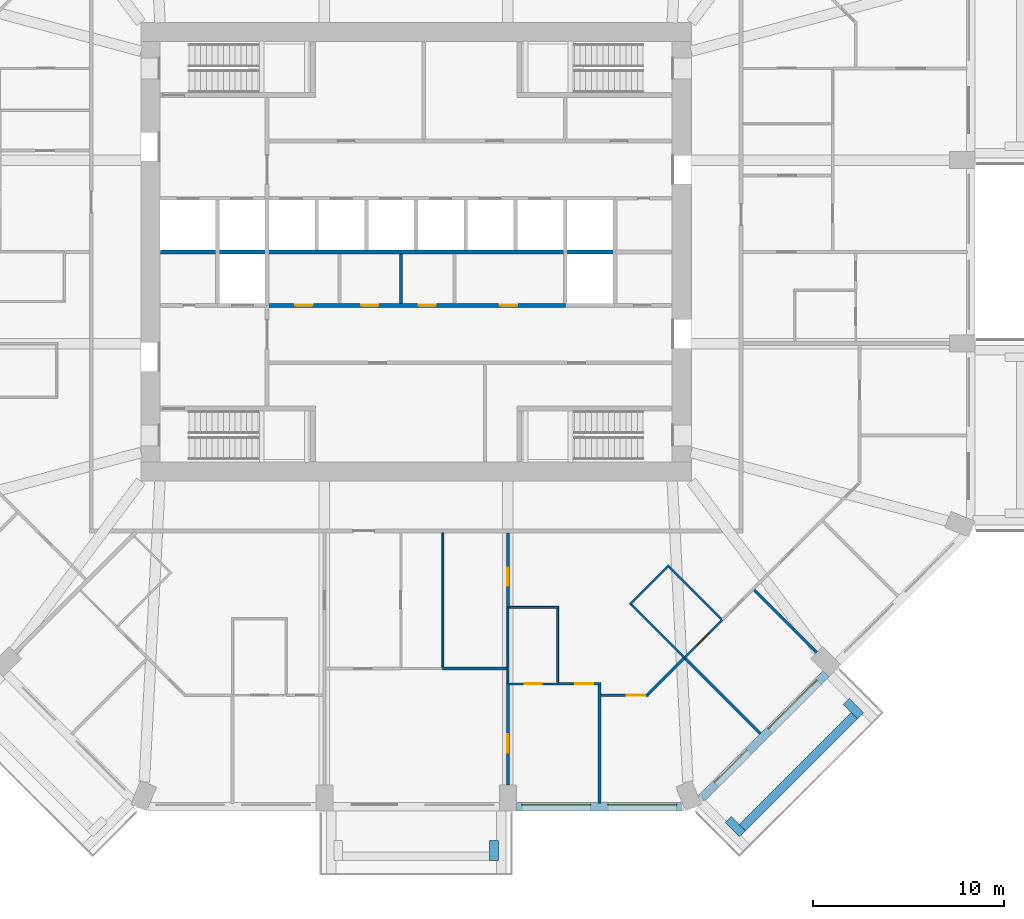
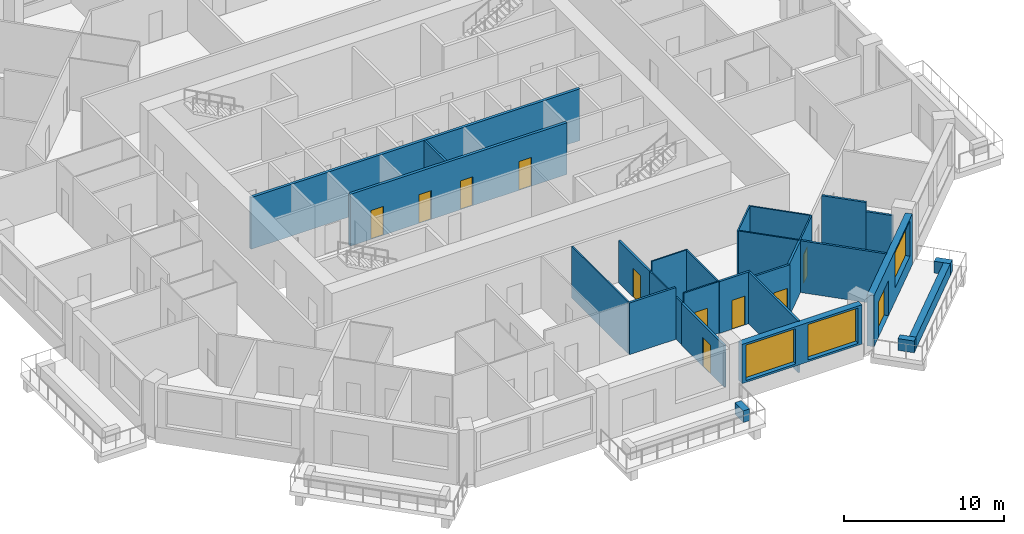
# One storey, part 5 of 13: 28 walls, 11 doors, 3 windows, 14 openings.
"""IFC4 building model written with IfcOpenShell, lengths in metres."""

from ifc_helpers import new_model, si_unit, direction, frame, frame_2d, origin, place, context, subcontext, project, spatial, rectangle, extrude, material, layer, layer_set, type_object, element, fill, save


model = new_model("IFC4")

# Units and contexts
model_context = context("Model", 3, precision=1e-05, world=origin(), true_north=direction((0.0, 1.0)))
body_context = subcontext(model_context, "Body", "Model", "MODEL_VIEW")
ifc_project = project(units=[si_unit("LENGTHUNIT", "METRE"), si_unit("AREAUNIT", "SQUARE_METRE"), si_unit("VOLUMEUNIT", "CUBIC_METRE"), si_unit("PLANEANGLEUNIT", "RADIAN"), si_unit("MASSUNIT", "GRAM", prefix="KILO")], contexts=[model_context])

# Site, building, storey
site_placement = place(None, origin())
site = spatial("IfcSite", under=ifc_project, at=site_placement, CompositionType="ELEMENT")
building_placement = place(site_placement, origin())
building = spatial("IfcBuilding", under=site, at=building_placement, Name="Msitu Wima Residences", CompositionType="ELEMENT")
storey_placement = place(building_placement, frame((0.0, 0.0, 67.5)))
storey = spatial("IfcBuildingStorey", under=building, at=storey_placement, Name="L15", CompositionType="ELEMENT", Elevation=67.5)

# Walls
ifc_material_1 = material(Name="Facing brick")
ifc_layer_1 = layer(ifc_material_1, 0.06494140625, Name="Facing brick")
ifc_material_2 = material(Name="Concrete C40/50", Category="concrete")
ifc_layer_2 = layer(ifc_material_2, 0.156005859375, Name="Concrete C40/50")
ifc_material_3 = material(Name="Waterproofing membrane")
ifc_layer_3 = layer(ifc_material_3, 0.00390625, Name="Waterproofing membrane")
ifc_material_4 = material(Name="Planting soil and planting")
ifc_layer_4 = layer(ifc_material_4, 0.22509765625, Name="Planting soil and planting")
ifc_layer_set_1 = layer_set([ifc_layer_1, ifc_layer_2, ifc_layer_3, ifc_layer_4], Name="Concrete C40/50")
wall_type_1 = type_object("IfcWallType", Name="Balcony planter PLANTER PL450", PredefinedType="USERDEFINED", material=ifc_layer_set_1)
wall_1_placement = place(storey_placement, frame((4.074951171875, -30.800048828125, 0.0), z_axis=(0.0, 0.0, 1.0), x_axis=(0.0, -1.0, 0.0)))
element("IfcWall", 1, at=wall_1_placement, inside=storey, type_object=wall_type_1, Name="Balcony planter S1 L15", ObjectType="PLANTER", PredefinedType="USERDEFINED", context=body_context, shape_type="SweptSolid", body=[
    extrude(rectangle(XDim=1.050048828125, YDim=0.449951171875, at=frame_2d((0.52490234375, 0.0))), origin(), (0.0, 0.0, 1.0), 0.89990234375),
])
wall_2_placement = place(storey_placement, frame((17.0693359375, -30.125732421875, 0.0), z_axis=(0.0, 0.0, 1.0), x_axis=(0.707106781187, 0.707106781187, 0.0)))
element("IfcWall", 2, at=wall_2_placement, inside=storey, type_object=wall_type_1, Name="Balcony planter SE0 L15", ObjectType="PLANTER", PredefinedType="USERDEFINED", context=body_context, shape_type="SweptSolid", body=[
    extrude(rectangle(XDim=8.2822265625, YDim=0.449951171875, at=frame_2d((4.14111328125, 0.0))), origin(), (0.0, 0.0, 1.0), 0.89990234375),
])
for number, where, z_axis, x_axis, name in (
    (3, (16.326904296875, -29.70166015625, 0.0), (0.0, 0.0, 1.0), (0.707106781187, -0.707106781187, 0.0), "Balcony planter SE0 L15"),
    (4, (22.50146484375, -23.52685546875, 0.0), (0.0, 0.0, 1.0), (0.707223014731, -0.706990528533, 0.0), "Balcony planter SE0 L15"),
):
    element("IfcWall", number, at=place(storey_placement, frame(where, z_axis=z_axis, x_axis=x_axis)), inside=storey, type_object=wall_type_1, Name=name, ObjectType="PLANTER", PredefinedType="USERDEFINED", context=body_context, shape_type="SweptSolid", body=[
        extrude(rectangle(XDim=1.050048828125, YDim=0.449951171875, at=frame_2d((0.52490234375, 0.0))), origin(), (0.0, 0.0, 1.0), 0.89990234375),
    ])

# Wall, openings, windows
ifc_material_5 = material(Name="Brick (red buff mix)", Category="masonry")
ifc_layer_5 = layer(ifc_material_5, 0.449951171875)
ifc_layer_set_2 = layer_set([ifc_layer_5], Name="Brick (red buff mix)")
wall_type_2 = type_object("IfcWallType", Name="Brick infill wall BW450", PredefinedType="SOLIDWALL", material=ifc_layer_set_2)
wall_3_placement = place(storey_placement, frame((5.25, -29.02490234375, 0.89990234375), z_axis=(0.0, 0.0, 1.0), x_axis=(1.0, 0.0, 0.0)))
wall_3 = element("IfcWall", 5, at=wall_3_placement, inside=storey, type_object=wall_type_2, Name="Brick infill wall L15 S2", PredefinedType="SOLIDWALL", context=body_context, shape_type="SweptSolid", body=[
    extrude(rectangle(XDim=8.662841796875, YDim=0.449951171875, at=frame_2d((4.33154296875, 0.0))), origin(), (0.0, 0.0, 1.0), 3.0),
])
opening_1_placement = place(wall_3_placement, frame((0.281494140625, 0.0, 0.14990234375)))
opening_1 = element("IfcOpeningElement", 6, at=opening_1_placement, cuts=wall_3, Name="Opening W13-15.019", PredefinedType="OPENING", context=body_context, shape_type="SweptSolid", body=[
    extrude(rectangle(XDim=3.60009765625, YDim=2.699951171875, at=frame_2d((1.800048828125, 1.35009765625))), frame((0.0, 0.23486328125, 0.0), z_axis=(0.0, -1.0, 0.0), x_axis=(1.0, 0.0, 0.0)), (0.0, 0.0, 1.0), 0.469970703125),
])
opening_2_placement = place(wall_3_placement, frame((4.781494140625, 0.0, 0.14990234375)))
opening_2 = element("IfcOpeningElement", 7, at=opening_2_placement, cuts=wall_3, Name="Opening W13-15.020", PredefinedType="OPENING", context=body_context, shape_type="SweptSolid", body=[
    extrude(rectangle(XDim=3.60009765625, YDim=2.699951171875, at=frame_2d((1.800048828125, 1.35009765625))), frame((0.0, 0.23486328125, 0.0), z_axis=(0.0, -1.0, 0.0), x_axis=(1.0, 0.0, 0.0)), (0.0, 0.0, 1.0), 0.469970703125),
])
ifc_material_6 = material(Name="Anodised aluminium, bronze finish, clear low-emissivity double glazing", Category="aluminium")
window_type = type_object("IfcWindowType", Name="Window W3600x2700", PartitioningType="DOUBLE_PANEL_VERTICAL", PredefinedType="WINDOW", material=ifc_material_6)
window_1_placement = place(opening_1_placement, origin())
window_1 = element("IfcWindow", 8, at=window_1_placement, inside=storey, type_object=window_type, Name="Window L15 S2.1", OverallHeight=2.699951171875, OverallWidth=3.60009765625, PartitioningType="SINGLE_PANEL", PredefinedType="WINDOW", context=body_context, shape_type="SweptSolid", body=[
    extrude(rectangle(XDim=3.60009765625, YDim=2.699951171875, at=frame_2d((1.800048828125, 1.35009765625))), frame((0.0, 0.135009765625, 0.0), z_axis=(0.0, -1.0, 0.0), x_axis=(1.0, 0.0, 0.0)), (0.0, 0.0, 1.0), 0.06005859375),
])
fill(opening_1, window_1)
window_2_placement = place(opening_2_placement, origin())
window_2 = element("IfcWindow", 9, at=window_2_placement, inside=storey, type_object=window_type, Name="Window L15 S2.2", OverallHeight=2.699951171875, OverallWidth=3.60009765625, PartitioningType="SINGLE_PANEL", PredefinedType="WINDOW", context=body_context, shape_type="SweptSolid", body=[
    extrude(rectangle(XDim=3.60009765625, YDim=2.699951171875, at=frame_2d((1.800048828125, 1.35009765625))), frame((0.0, 0.135009765625, 0.0), z_axis=(0.0, -1.0, 0.0), x_axis=(1.0, 0.0, 0.0)), (0.0, 0.0, 1.0), 0.06005859375),
])
fill(opening_2, window_2)

# Wall, openings, door, window
wall_4_placement = place(storey_placement, frame((14.903564453125, -28.61474609375, 0.0), z_axis=(0.0, 0.0, 1.0), x_axis=(0.707106781187, 0.707106781187, 0.0)))
wall_4 = element("IfcWall", 10, at=wall_4_placement, inside=storey, type_object=wall_type_2, Name="Brick infill wall L15 SE0", PredefinedType="SOLIDWALL", context=body_context, shape_type="SweptSolid", body=[
    extrude(rectangle(XDim=9.2451171875, YDim=0.449951171875, at=frame_2d((4.62255859375, 0.0))), origin(), (0.0, 0.0, 1.0), 3.89990234375),
])
opening_3_placement = place(wall_4_placement, frame((1.111328125, 0.0, 0.0)))
opening_3 = element("IfcOpeningElement", 11, at=opening_3_placement, cuts=wall_4, Name="Opening D13-15.007", PredefinedType="OPENING", context=body_context, shape_type="SweptSolid", body=[
    extrude(rectangle(XDim=2.39990234375, YDim=2.699951171875, at=frame_2d((1.199951171875, 1.35009765625))), frame((0.0, 0.23486328125, 0.0), z_axis=(0.0, -1.0, 0.0), x_axis=(1.0, 0.0, 0.0)), (0.0, 0.0, 1.0), 0.469970703125),
])
opening_4_placement = place(wall_4_placement, frame((5.072509765625, 0.0, 1.050048828125)))
opening_4 = element("IfcOpeningElement", 12, at=opening_4_placement, cuts=wall_4, Name="Opening W13-15.021", PredefinedType="OPENING", context=body_context, shape_type="SweptSolid", body=[
    extrude(rectangle(XDim=3.60009765625, YDim=2.699951171875, at=frame_2d((1.800048828125, 1.35009765625))), frame((0.0, 0.23486328125, 0.0), z_axis=(0.0, -1.0, 0.0), x_axis=(1.0, 0.0, 0.0)), (0.0, 0.0, 1.0), 0.469970703125),
])
door_type_1 = type_object("IfcDoorType", Name="Balcony door D2400x2700", OperationType="SLIDING_TO_LEFT", PredefinedType="DOOR", material=ifc_material_6)
door_1_placement = place(opening_3_placement, origin())
door_1 = element("IfcDoor", 13, at=door_1_placement, inside=storey, type_object=door_type_1, Name="Balcony door L15 SE0", OperationType="SINGLE_SWING_LEFT", OverallHeight=2.699951171875, OverallWidth=2.39990234375, PredefinedType="DOOR", context=body_context, shape_type="SweptSolid", body=[
    extrude(rectangle(XDim=2.39990234375, YDim=2.699951171875, at=frame_2d((1.199951171875, 1.35009765625))), frame((0.0, 0.1298828125, 0.0), z_axis=(0.0, -1.0, 0.0), x_axis=(1.0, 0.0, 0.0)), (0.0, 0.0, 1.0), 0.050048828125),
])
fill(opening_3, door_1)
window_3_placement = place(opening_4_placement, origin())
window_3 = element("IfcWindow", 14, at=window_3_placement, inside=storey, type_object=window_type, Name="Window L15 SE0.2", OverallHeight=2.699951171875, OverallWidth=3.60009765625, PartitioningType="SINGLE_PANEL", PredefinedType="WINDOW", context=body_context, shape_type="SweptSolid", body=[
    extrude(rectangle(XDim=3.60009765625, YDim=2.699951171875, at=frame_2d((1.800048828125, 1.35009765625))), frame((0.0, 0.135009765625, 0.0), z_axis=(0.0, -1.0, 0.0), x_axis=(1.0, 0.0, 0.0)), (0.0, 0.0, 1.0), 0.06005859375),
])
fill(opening_4, window_3)

# Wall, openings, doors
ifc_material_7 = material(Name="Plaster")
ifc_layer_6 = layer(ifc_material_7, 0.011962890625, Name="Plaster")
ifc_material_8 = material(Name="Concrete blockwork", Category="masonry")
ifc_layer_7 = layer(ifc_material_8, 0.176025390625, Name="Concrete blockwork")
ifc_layer_8 = layer(ifc_material_7, 0.011962890625, Name="Plaster")
ifc_layer_set_3 = layer_set([ifc_layer_6, ifc_layer_7, ifc_layer_8], Name="Concrete blockwork")
wall_type_3 = type_object("IfcWallType", Name="Corridor wall FW200", PredefinedType="PARTITIONING", material=ifc_layer_set_3)
wall_5_placement = place(storey_placement, frame((-7.820068359375, -2.800048828125, 0.0), z_axis=(0.0, 0.0, 1.0), x_axis=(1.0, 0.0, 0.0)))
wall_5 = element("IfcWall", 15, at=wall_5_placement, inside=storey, type_object=wall_type_3, Name="Corridor wall", PredefinedType="PARTITIONING", context=body_context, shape_type="SweptSolid", body=[
    extrude(rectangle(XDim=15.64013671875, YDim=0.199951171875, at=frame_2d((7.820068359375, 0.0))), origin(), (0.0, 0.0, 1.0), 3.949951171875),
])
opening_5_placement = place(wall_5_placement, frame((1.5, 0.0, 0.0)))
opening_5 = element("IfcOpeningElement", 16, at=opening_5_placement, cuts=wall_5, Name="Opening D13-15.028", PredefinedType="OPENING", context=body_context, shape_type="SweptSolid", body=[
    extrude(rectangle(XDim=0.89990234375, YDim=2.199951171875, at=frame_2d((0.449951171875, 1.10009765625))), frame((0.0, 0.10986328125, 0.0), z_axis=(0.0, -1.0, 0.0), x_axis=(1.0, 0.0, 0.0)), (0.0, 0.0, 1.0), 0.219970703125),
])
opening_6_placement = place(wall_5_placement, frame((4.949951171875, 0.0, 0.0)))
opening_6 = element("IfcOpeningElement", 17, at=opening_6_placement, cuts=wall_5, Name="Opening D13-15.029", PredefinedType="OPENING", context=body_context, shape_type="SweptSolid", body=[
    extrude(rectangle(XDim=0.89990234375, YDim=2.199951171875, at=frame_2d((0.449951171875, 1.10009765625))), frame((0.0, 0.10986328125, 0.0), z_axis=(0.0, -1.0, 0.0), x_axis=(1.0, 0.0, 0.0)), (0.0, 0.0, 1.0), 0.219970703125),
])
opening_7_placement = place(wall_5_placement, frame((7.949951171875, 0.0, 0.0)))
opening_7 = element("IfcOpeningElement", 18, at=opening_7_placement, cuts=wall_5, Name="Opening D13-15.030", PredefinedType="OPENING", context=body_context, shape_type="SweptSolid", body=[
    extrude(rectangle(XDim=0.89990234375, YDim=2.199951171875, at=frame_2d((0.449951171875, 1.10009765625))), frame((0.0, 0.10986328125, 0.0), z_axis=(0.0, -1.0, 0.0), x_axis=(1.0, 0.0, 0.0)), (0.0, 0.0, 1.0), 0.219970703125),
])
opening_8_placement = place(wall_5_placement, frame((12.199951171875, 0.0, 0.0)))
opening_8 = element("IfcOpeningElement", 19, at=opening_8_placement, cuts=wall_5, Name="Opening D13-15.031", PredefinedType="OPENING", context=body_context, shape_type="SweptSolid", body=[
    extrude(rectangle(XDim=0.89990234375, YDim=2.199951171875, at=frame_2d((0.449951171875, 1.10009765625))), frame((0.0, 0.10986328125, 0.0), z_axis=(0.0, -1.0, 0.0), x_axis=(1.0, 0.0, 0.0)), (0.0, 0.0, 1.0), 0.219970703125),
])
ifc_material_9 = material(Name="Timber flush door", Category="wood")
door_type_2 = type_object("IfcDoorType", Name="Service door D05 900x2200", OperationType="SINGLE_SWING_LEFT", PredefinedType="DOOR", material=ifc_material_9)
door_2_placement = place(opening_5_placement, origin())
door_2 = element("IfcDoor", 20, at=door_2_placement, inside=storey, type_object=door_type_2, Name="Service door", OperationType="SINGLE_SWING_RIGHT", OverallHeight=2.199951171875, OverallWidth=0.89990234375, PredefinedType="DOOR", context=body_context, shape_type="SweptSolid", body=[
    extrude(rectangle(XDim=0.89990234375, YDim=2.199951171875, at=frame_2d((0.449951171875, 1.10009765625))), frame((0.0, 0.02490234375, 0.0), z_axis=(0.0, -1.0, 0.0), x_axis=(1.0, 0.0, 0.0)), (0.0, 0.0, 1.0), 0.050048828125),
])
fill(opening_5, door_2)
door_3_placement = place(opening_6_placement, origin())
door_3 = element("IfcDoor", 21, at=door_3_placement, inside=storey, type_object=door_type_2, Name="Service door", OperationType="SINGLE_SWING_LEFT", OverallHeight=2.199951171875, OverallWidth=0.89990234375, PredefinedType="DOOR", context=body_context, shape_type="SweptSolid", body=[
    extrude(rectangle(XDim=0.89990234375, YDim=2.199951171875, at=frame_2d((0.449951171875, 1.10009765625))), frame((0.0, 0.02490234375, 0.0), z_axis=(0.0, -1.0, 0.0), x_axis=(1.0, 0.0, 0.0)), (0.0, 0.0, 1.0), 0.050048828125),
])
fill(opening_6, door_3)
door_4_placement = place(opening_7_placement, origin())
door_4 = element("IfcDoor", 22, at=door_4_placement, inside=storey, type_object=door_type_2, Name="Service door", OperationType="SINGLE_SWING_LEFT", OverallHeight=2.199951171875, OverallWidth=0.89990234375, PredefinedType="DOOR", context=body_context, shape_type="SweptSolid", body=[
    extrude(rectangle(XDim=0.89990234375, YDim=2.199951171875, at=frame_2d((0.449951171875, 1.10009765625))), frame((0.0, 0.02490234375, 0.0), z_axis=(0.0, -1.0, 0.0), x_axis=(1.0, 0.0, 0.0)), (0.0, 0.0, 1.0), 0.050048828125),
])
fill(opening_7, door_4)
door_5_placement = place(opening_8_placement, origin())
door_5 = element("IfcDoor", 23, at=door_5_placement, inside=storey, type_object=door_type_2, Name="Service door", OperationType="SINGLE_SWING_LEFT", OverallHeight=2.199951171875, OverallWidth=0.89990234375, PredefinedType="DOOR", context=body_context, shape_type="SweptSolid", body=[
    extrude(rectangle(XDim=0.89990234375, YDim=2.199951171875, at=frame_2d((0.449951171875, 1.10009765625))), frame((0.0, 0.02490234375, 0.0), z_axis=(0.0, -1.0, 0.0), x_axis=(1.0, 0.0, 0.0)), (0.0, 0.0, 1.0), 0.050048828125),
])
fill(opening_8, door_5)

# Walls
ifc_layer_9 = layer(ifc_material_7, 0.011962890625, Name="Plaster")
ifc_layer_10 = layer(ifc_material_8, 0.1259765625, Name="Concrete blockwork")
ifc_layer_11 = layer(ifc_material_7, 0.011962890625, Name="Plaster")
ifc_layer_set_4 = layer_set([ifc_layer_9, ifc_layer_10, ifc_layer_11], Name="Concrete blockwork")
wall_type_4 = type_object("IfcWallType", Name="Partition PW150", PredefinedType="PARTITIONING", material=ifc_layer_set_4)
wall_6_placement = place(storey_placement, frame((-0.800048828125, -2.699951171875, 0.0), z_axis=(0.0, 0.0, 1.0), x_axis=(0.0, 1.0, 0.0)))
element("IfcWall", 24, at=wall_6_placement, inside=storey, type_object=wall_type_4, Name="Partition", PredefinedType="PARTITIONING", context=body_context, shape_type="SweptSolid", body=[
    extrude(rectangle(XDim=2.599853515625, YDim=0.14990234375, at=frame_2d((1.2998046875, 0.0))), origin(), (0.0, 0.0, 1.0), 3.949951171875),
])
wall_7_placement = place(storey_placement, frame((1.3798828125, -21.800048828125, 0.0), z_axis=(0.0, 0.0, 1.0), x_axis=(1.0, 0.0, 0.0)))
element("IfcWall", 25, at=wall_7_placement, inside=storey, type_object=wall_type_4, Name="Partition", PredefinedType="PARTITIONING", context=body_context, shape_type="SweptSolid", body=[
    extrude(rectangle(XDim=3.3701171875, YDim=0.14990234375, at=frame_2d((1.68505859375, 0.0))), origin(), (0.0, 0.0, 1.0), 3.949951171875),
])

# Wall, opening, door
wall_8_placement = place(storey_placement, frame((4.800048828125, -27.89990234375, 0.0), z_axis=(0.0, 0.0, 1.0), x_axis=(0.0, 1.0, 0.0)))
wall_8 = element("IfcWall", 26, at=wall_8_placement, inside=storey, type_object=wall_type_4, Name="Partition", PredefinedType="PARTITIONING", context=body_context, shape_type="SweptSolid", body=[
    extrude(rectangle(XDim=5.31982421875, YDim=0.14990234375, at=frame_2d((2.659912109375, 0.0))), origin(), (0.0, 0.0, 1.0), 3.199951171875),
])
opening_9_placement = place(wall_8_placement, frame((1.699951171875, 0.0, 0.0)))
opening_9 = element("IfcOpeningElement", 27, at=opening_9_placement, cuts=wall_8, Name="Opening D13-15.074", PredefinedType="OPENING", context=body_context, shape_type="SweptSolid", body=[
    extrude(rectangle(XDim=0.949951171875, YDim=2.199951171875, at=frame_2d((0.47509765625, 1.10009765625))), frame((0.0, 0.0849609375, 0.0), z_axis=(0.0, -1.0, 0.0), x_axis=(1.0, 0.0, 0.0)), (0.0, 0.0, 1.0), 0.169921875),
])
door_type_3 = type_object("IfcDoorType", Name="Room door D12 950x2200", OperationType="SINGLE_SWING_LEFT", PredefinedType="DOOR", material=ifc_material_9)
door_6_placement = place(opening_9_placement, origin())
door_6 = element("IfcDoor", 28, at=door_6_placement, inside=storey, type_object=door_type_3, Name="Room door", OperationType="SINGLE_SWING_LEFT", OverallHeight=2.199951171875, OverallWidth=0.949951171875, PredefinedType="DOOR", context=body_context, shape_type="SweptSolid", body=[
    extrude(rectangle(XDim=0.949951171875, YDim=2.199951171875, at=frame_2d((0.47509765625, 1.10009765625))), frame((0.0, 0.02490234375, 0.0), z_axis=(0.0, -1.0, 0.0), x_axis=(1.0, 0.0, 0.0)), (0.0, 0.0, 1.0), 0.050048828125),
])
fill(opening_9, door_6)

wall_9_placement = place(storey_placement, frame((4.800048828125, -18.580078125, 0.0), z_axis=(0.0, 0.0, 1.0), x_axis=(0.0, 1.0, 0.0)))
wall_9 = element("IfcWall", 29, at=wall_9_placement, inside=storey, type_object=wall_type_4, Name="Partition", PredefinedType="PARTITIONING", context=body_context, shape_type="SweptSolid", body=[
    extrude(rectangle(XDim=3.880126953125, YDim=0.14990234375, at=frame_2d((1.93994140625, 0.0))), origin(), (0.0, 0.0, 1.0), 3.199951171875),
])
opening_10_placement = place(wall_9_placement, frame((1.10009765625, 0.0, 0.0)))
opening_10 = element("IfcOpeningElement", 30, at=opening_10_placement, cuts=wall_9, Name="Opening D13-15.080", PredefinedType="OPENING", context=body_context, shape_type="SweptSolid", body=[
    extrude(rectangle(XDim=0.949951171875, YDim=2.199951171875, at=frame_2d((0.47509765625, 1.10009765625))), frame((0.0, 0.0849609375, 0.0), z_axis=(0.0, -1.0, 0.0), x_axis=(1.0, 0.0, 0.0)), (0.0, 0.0, 1.0), 0.169921875),
])
door_7_placement = place(opening_10_placement, origin())
door_7 = element("IfcDoor", 31, at=door_7_placement, inside=storey, type_object=door_type_3, Name="Room door", OperationType="SINGLE_SWING_RIGHT", OverallHeight=2.199951171875, OverallWidth=0.949951171875, PredefinedType="DOOR", context=body_context, shape_type="SweptSolid", body=[
    extrude(rectangle(XDim=0.949951171875, YDim=2.199951171875, at=frame_2d((0.47509765625, 1.10009765625))), frame((0.0, 0.02490234375, 0.0), z_axis=(0.0, -1.0, 0.0), x_axis=(1.0, 0.0, 0.0)), (0.0, 0.0, 1.0), 0.050048828125),
])
fill(opening_10, door_7)

wall_10_placement = place(storey_placement, frame((7.419921875, -22.60009765625, 0.0), z_axis=(0.0, 0.0, 1.0), x_axis=(1.0, 0.0, 0.0)))
wall_10 = element("IfcWall", 32, at=wall_10_placement, inside=storey, type_object=wall_type_4, Name="Partition", PredefinedType="PARTITIONING", context=body_context, shape_type="SweptSolid", body=[
    extrude(rectangle(XDim=2.255126953125, YDim=0.14990234375, at=frame_2d((1.12744140625, 0.0))), origin(), (0.0, 0.0, 1.0), 3.949951171875),
])
opening_11_placement = place(wall_10_placement, frame((0.89990234375, 0.0, 0.0)))
opening_11 = element("IfcOpeningElement", 33, at=opening_11_placement, cuts=wall_10, Name="Opening D13-15.076", PredefinedType="OPENING", context=body_context, shape_type="SweptSolid", body=[
    extrude(rectangle(XDim=0.949951171875, YDim=2.199951171875, at=frame_2d((0.47509765625, 1.10009765625))), frame((0.0, 0.0849609375, 0.0), z_axis=(0.0, -1.0, 0.0), x_axis=(1.0, 0.0, 0.0)), (0.0, 0.0, 1.0), 0.169921875),
])
door_8_placement = place(opening_11_placement, origin())
door_8 = element("IfcDoor", 34, at=door_8_placement, inside=storey, type_object=door_type_3, Name="Room door", OperationType="SINGLE_SWING_LEFT", OverallHeight=2.199951171875, OverallWidth=0.949951171875, PredefinedType="DOOR", context=body_context, shape_type="SweptSolid", body=[
    extrude(rectangle(XDim=0.949951171875, YDim=2.199951171875, at=frame_2d((0.47509765625, 1.10009765625))), frame((0.0, 0.02490234375, 0.0), z_axis=(0.0, -1.0, 0.0), x_axis=(1.0, 0.0, 0.0)), (0.0, 0.0, 1.0), 0.050048828125),
])
fill(opening_11, door_8)

# Wall
wall_11_placement = place(storey_placement, frame((9.60009765625, -28.85498046875, 0.0), z_axis=(0.0, 0.0, 1.0), x_axis=(0.0, 1.0, 0.0)))
element("IfcWall", 35, at=wall_11_placement, inside=storey, type_object=wall_type_4, Name="Partition", PredefinedType="PARTITIONING", context=body_context, shape_type="SweptSolid", body=[
    extrude(rectangle(XDim=6.179931640625, YDim=0.14990234375, at=frame_2d((3.08984375, 0.0))), origin(), (0.0, 0.0, 1.0), 3.949951171875),
])

# Wall, opening, door
wall_12_placement = place(storey_placement, frame((9.675048828125, -23.199951171875, 0.0), z_axis=(0.0, 0.0, 1.0), x_axis=(1.0, 0.0, 0.0)))
wall_12 = element("IfcWall", 36, at=wall_12_placement, inside=storey, type_object=wall_type_4, Name="Partition", PredefinedType="PARTITIONING", context=body_context, shape_type="SweptSolid", body=[
    extrude(rectangle(XDim=2.48046875, YDim=0.14990234375, at=frame_2d((1.240234375, 0.0))), origin(), (0.0, 0.0, 1.0), 3.949951171875),
])
opening_12_placement = place(wall_12_placement, frame((1.35009765625, 0.0, 0.0)))
opening_12 = element("IfcOpeningElement", 37, at=opening_12_placement, cuts=wall_12, Name="Opening D13-15.084", PredefinedType="OPENING", context=body_context, shape_type="SweptSolid", body=[
    extrude(rectangle(XDim=0.949951171875, YDim=2.199951171875, at=frame_2d((0.47509765625, 1.10009765625))), frame((0.0, 0.0849609375, 0.0), z_axis=(0.0, -1.0, 0.0), x_axis=(1.0, 0.0, 0.0)), (0.0, 0.0, 1.0), 0.169921875),
])
door_9_placement = place(opening_12_placement, origin())
door_9 = element("IfcDoor", 38, at=door_9_placement, inside=storey, type_object=door_type_3, Name="Room door", OperationType="SINGLE_SWING_RIGHT", OverallHeight=2.199951171875, OverallWidth=0.949951171875, PredefinedType="DOOR", context=body_context, shape_type="SweptSolid", body=[
    extrude(rectangle(XDim=0.949951171875, YDim=2.199951171875, at=frame_2d((0.47509765625, 1.10009765625))), frame((0.0, 0.02490234375, 0.0), z_axis=(0.0, -1.0, 0.0), x_axis=(1.0, 0.0, 0.0)), (0.0, 0.0, 1.0), 0.050048828125),
])
fill(opening_12, door_9)

# Walls
wall_13_placement = place(storey_placement, frame((12.133544921875, -23.14697265625, 0.0), z_axis=(0.0, 0.0, 1.0), x_axis=(0.707106781187, 0.707106781187, 0.0)))
element("IfcWall", 39, at=wall_13_placement, inside=storey, type_object=wall_type_4, Name="Partition", PredefinedType="PARTITIONING", context=body_context, shape_type="SweptSolid", body=[
    extrude(rectangle(XDim=2.696533203125, YDim=0.14990234375, at=frame_2d((1.34814453125, 0.0))), origin(), (0.0, 0.0, 1.0), 3.949951171875),
])
wall_14_placement = place(storey_placement, frame((14.026123046875, -21.22607421875, 0.0), z_axis=(0.0, 0.0, 1.0), x_axis=(0.707085156134, -0.707128405578, 0.0)))
element("IfcWall", 40, at=wall_14_placement, inside=storey, type_object=wall_type_4, Name="Partition", PredefinedType="PARTITIONING", context=body_context, shape_type="SweptSolid", body=[
    extrude(rectangle(XDim=5.64501953125, YDim=0.14990234375, at=frame_2d((2.822509765625, 0.0))), origin(), (0.0, 0.0, 1.0), 3.949951171875),
])
wall_15_placement = place(storey_placement, frame((17.693115234375, -17.693115234375, 0.0), z_axis=(0.0, 0.0, 1.0), x_axis=(0.707106781187, -0.707106781187, 0.0)))
element("IfcWall", 41, at=wall_15_placement, inside=storey, type_object=wall_type_4, Name="Partition", PredefinedType="PARTITIONING", context=body_context, shape_type="SweptSolid", body=[
    extrude(rectangle(XDim=2.876708984375, YDim=0.14990234375, at=frame_2d((1.4384765625, 0.0))), origin(), (0.0, 0.0, 1.0), 3.949951171875),
])
wall_16_placement = place(storey_placement, frame((19.727294921875, -19.727294921875, 0.0), z_axis=(0.0, 0.0, 1.0), x_axis=(0.707106781187, -0.707106781187, 0.0)))
element("IfcWall", 42, at=wall_16_placement, inside=storey, type_object=wall_type_4, Name="Partition", PredefinedType="PARTITIONING", context=body_context, shape_type="SweptSolid", body=[
    extrude(rectangle(XDim=1.74853515625, YDim=0.14990234375, at=frame_2d((0.874267578125, 0.0))), origin(), (0.0, 0.0, 1.0), 3.25),
])
ifc_material_10 = material(Name="Fire-rated board")
ifc_layer_12 = layer(ifc_material_10, 0.02490234375, Name="Fire-rated board")
ifc_material_11 = material(Name="Light-gauge stud framing with mineral wool")
ifc_layer_13 = layer(ifc_material_11, 0.14990234375, Name="Light-gauge stud framing with mineral wool")
ifc_layer_14 = layer(ifc_material_10, 0.02490234375, Name="Fire-rated board")
ifc_layer_set_5 = layer_set([ifc_layer_12, ifc_layer_13, ifc_layer_14], Name="Light-gauge stud framing with mineral wool")
wall_type_5 = type_object("IfcWallType", Name="Shaft wall SH200", PredefinedType="PARTITIONING", material=ifc_layer_set_5)
wall_17_placement = place(storey_placement, frame((-13.3701171875, 0.0, 0.0), z_axis=(0.0, 0.0, 1.0), x_axis=(1.0, 0.0, 0.0)))
element("IfcWall", 43, at=wall_17_placement, inside=storey, type_object=wall_type_5, Name="Shaft wall", PredefinedType="PARTITIONING", context=body_context, shape_type="SweptSolid", body=[
    extrude(rectangle(XDim=23.77001953125, YDim=0.199951171875, at=frame_2d((11.885009765625, 0.0))), origin(), (0.0, 0.0, 1.0), 3.949951171875),
])
ifc_material_12 = material(Name="Ceramic tiles")
ifc_layer_15 = layer(ifc_material_12, 0.008056640625, Name="Ceramic tiles")
ifc_material_13 = material(Name="Moisture-resistant board")
ifc_layer_16 = layer(ifc_material_13, 0.012451171875, Name="Moisture-resistant board")
ifc_layer_17 = layer(ifc_material_11, 0.06689453125, Name="Light-gauge stud framing with mineral wool")
ifc_layer_18 = layer(ifc_material_13, 0.012451171875, Name="Moisture-resistant board")
ifc_layer_set_6 = layer_set([ifc_layer_15, ifc_layer_16, ifc_layer_17, ifc_layer_18], Name="Light-gauge stud framing with mineral wool")
wall_type_6 = type_object("IfcWallType", Name="Wet wall PW100", PredefinedType="PARTITIONING", material=ifc_layer_set_6)
wall_18_placement = place(storey_placement, frame((1.39990234375, -21.72509765625, 0.0), z_axis=(0.0, 0.0, 1.0), x_axis=(0.0, 1.0, 0.0)))
element("IfcWall", 44, at=wall_18_placement, inside=storey, type_object=wall_type_6, Name="Wet wall", PredefinedType="PARTITIONING", context=body_context, shape_type="SweptSolid", body=[
    extrude(rectangle(XDim=7.025146484375, YDim=0.10009765625, at=frame_2d((3.5126953125, 0.0))), origin(), (0.0, 0.0, 1.0), 3.949951171875),
])
wall_19_placement = place(storey_placement, frame((4.800048828125, -22.580078125, 0.0), z_axis=(0.0, 0.0, 1.0), x_axis=(0.0, 1.0, 0.0)))
element("IfcWall", 45, at=wall_19_placement, inside=storey, type_object=wall_type_6, Name="Wet wall", PredefinedType="PARTITIONING", context=body_context, shape_type="SweptSolid", body=[
    extrude(rectangle(XDim=4.0, YDim=0.10009765625, at=frame_2d((2.0, 0.0))), origin(), (0.0, 0.0, 1.0), 3.199951171875),
])

# Wall, opening, door
wall_20_placement = place(storey_placement, frame((4.875, -22.60009765625, 0.0), z_axis=(0.0, 0.0, 1.0), x_axis=(1.0, 0.0, 0.0)))
wall_20 = element("IfcWall", 46, at=wall_20_placement, inside=storey, type_object=wall_type_6, Name="Wet wall", PredefinedType="PARTITIONING", context=body_context, shape_type="SweptSolid", body=[
    extrude(rectangle(XDim=2.544921875, YDim=0.10009765625, at=frame_2d((1.2724609375, 0.0))), origin(), (0.0, 0.0, 1.0), 3.949951171875),
])
opening_13_placement = place(wall_20_placement, frame((0.800048828125, 0.0, 0.0)))
opening_13 = element("IfcOpeningElement", 47, at=opening_13_placement, cuts=wall_20, Name="Opening D13-15.075", PredefinedType="OPENING", context=body_context, shape_type="SweptSolid", body=[
    extrude(rectangle(XDim=0.89990234375, YDim=2.199951171875, at=frame_2d((0.449951171875, 1.10009765625))), frame((0.0, 0.06005859375, 0.0), z_axis=(0.0, -1.0, 0.0), x_axis=(1.0, 0.0, 0.0)), (0.0, 0.0, 1.0), 0.1201171875),
])
ifc_material_14 = material(Name="Timber flush door, moisture resistant", Category="wood")
door_type_4 = type_object("IfcDoorType", Name="Bathroom door D03 900x2200", OperationType="SINGLE_SWING_LEFT", PredefinedType="DOOR", material=ifc_material_14)
door_10_placement = place(opening_13_placement, origin())
door_10 = element("IfcDoor", 48, at=door_10_placement, inside=storey, type_object=door_type_4, Name="Bathroom door", OperationType="SINGLE_SWING_RIGHT", OverallHeight=2.199951171875, OverallWidth=0.89990234375, PredefinedType="DOOR", context=body_context, shape_type="SweptSolid", body=[
    extrude(rectangle(XDim=0.89990234375, YDim=2.199951171875, at=frame_2d((0.449951171875, 1.10009765625))), frame((0.0, 0.02490234375, 0.0), z_axis=(0.0, -1.0, 0.0), x_axis=(1.0, 0.0, 0.0)), (0.0, 0.0, 1.0), 0.050048828125),
])
fill(opening_13, door_10)

# Walls
wall_21_placement = place(storey_placement, frame((4.875, -18.60009765625, 0.0), z_axis=(0.0, 0.0, 1.0), x_axis=(1.0, 0.0, 0.0)))
element("IfcWall", 49, at=wall_21_placement, inside=storey, type_object=wall_type_6, Name="Wet wall", PredefinedType="PARTITIONING", context=body_context, shape_type="SweptSolid", body=[
    extrude(rectangle(XDim=2.574951171875, YDim=0.10009765625, at=frame_2d((1.28759765625, 0.0))), origin(), (0.0, 0.0, 1.0), 3.949951171875),
])
wall_22_placement = place(storey_placement, frame((7.39990234375, -22.52490234375, 0.0), z_axis=(0.0, 0.0, 1.0), x_axis=(0.0, 1.0, 0.0)))
element("IfcWall", 50, at=wall_22_placement, inside=storey, type_object=wall_type_6, Name="Wet wall", PredefinedType="PARTITIONING", context=body_context, shape_type="SweptSolid", body=[
    extrude(rectangle(XDim=3.875, YDim=0.10009765625, at=frame_2d((1.9375, 0.0))), origin(), (0.0, 0.0, 1.0), 3.949951171875),
])
wall_23_placement = place(storey_placement, frame((11.176513671875, -18.447021484375, 0.0), z_axis=(0.0, 0.0, 1.0), x_axis=(0.707106781187, 0.707106781187, 0.0)))
element("IfcWall", 51, at=wall_23_placement, inside=storey, type_object=wall_type_6, Name="Wet wall", PredefinedType="PARTITIONING", context=body_context, shape_type="SweptSolid", body=[
    extrude(rectangle(XDim=2.89990234375, YDim=0.10009765625, at=frame_2d((1.449951171875, 0.0))), origin(), (0.0, 0.0, 1.0), 3.949951171875),
])
wall_24_placement = place(storey_placement, frame((11.2470703125, -18.447021484375, 0.0), z_axis=(0.0, 0.0, 1.0), x_axis=(0.707106781187, -0.707106781187, 0.0)))
element("IfcWall", 52, at=wall_24_placement, inside=storey, type_object=wall_type_6, Name="Wet wall", PredefinedType="PARTITIONING", context=body_context, shape_type="SweptSolid", body=[
    extrude(rectangle(XDim=3.93017578125, YDim=0.10009765625, at=frame_2d((1.965087890625, 0.0))), origin(), (0.0, 0.0, 1.0), 3.949951171875),
])
wall_25_placement = place(storey_placement, frame((13.22705078125, -16.46728515625, 0.0), z_axis=(0.0, 0.0, 1.0), x_axis=(0.707138080869, -0.707075480118, 0.0)))
element("IfcWall", 53, at=wall_25_placement, inside=storey, type_object=wall_type_6, Name="Wet wall", PredefinedType="PARTITIONING", context=body_context, shape_type="SweptSolid", body=[
    extrude(rectangle(XDim=3.89990234375, YDim=0.10009765625, at=frame_2d((1.949951171875, 0.0))), origin(), (0.0, 0.0, 1.0), 3.949951171875),
])

# Wall, opening, door
wall_26_placement = place(storey_placement, frame((14.040283203125, -21.240234375, 0.0), z_axis=(0.0, 0.0, 1.0), x_axis=(0.707063182409, 0.707150377276, 0.0)))
wall_26 = element("IfcWall", 54, at=wall_26_placement, inside=storey, type_object=wall_type_6, Name="Wet wall", PredefinedType="PARTITIONING", context=body_context, shape_type="SweptSolid", body=[
    extrude(rectangle(XDim=2.800048828125, YDim=0.10009765625, at=frame_2d((1.39990234375, 0.0))), origin(), (0.0, 0.0, 1.0), 3.949951171875),
])
opening_14_placement = place(wall_26_placement, frame((0.949951171875, 0.0, 0.0)))
opening_14 = element("IfcOpeningElement", 55, at=opening_14_placement, cuts=wall_26, Name="Opening D13-15.079", PredefinedType="OPENING", context=body_context, shape_type="SweptSolid", body=[
    extrude(rectangle(XDim=0.89990234375, YDim=2.199951171875, at=frame_2d((0.449951171875, 1.10009765625))), frame((0.0, 0.06005859375, 0.0), z_axis=(0.0, -1.0, 0.0), x_axis=(1.0, 0.0, 0.0)), (0.0, 0.0, 1.0), 0.1201171875),
])
door_11_placement = place(opening_14_placement, origin())
door_11 = element("IfcDoor", 56, at=door_11_placement, inside=storey, type_object=door_type_4, Name="Bathroom door", OperationType="SINGLE_SWING_RIGHT", OverallHeight=2.199951171875, OverallWidth=0.89990234375, PredefinedType="DOOR", context=body_context, shape_type="SweptSolid", body=[
    extrude(rectangle(XDim=0.89990234375, YDim=2.199951171875, at=frame_2d((0.449951171875, 1.10009765625))), frame((0.0, 0.02490234375, 0.0), z_axis=(0.0, -1.0, 0.0), x_axis=(1.0, 0.0, 0.0)), (0.0, 0.0, 1.0), 0.050048828125),
])
fill(opening_14, door_11)

save(model, "model.ifc")
